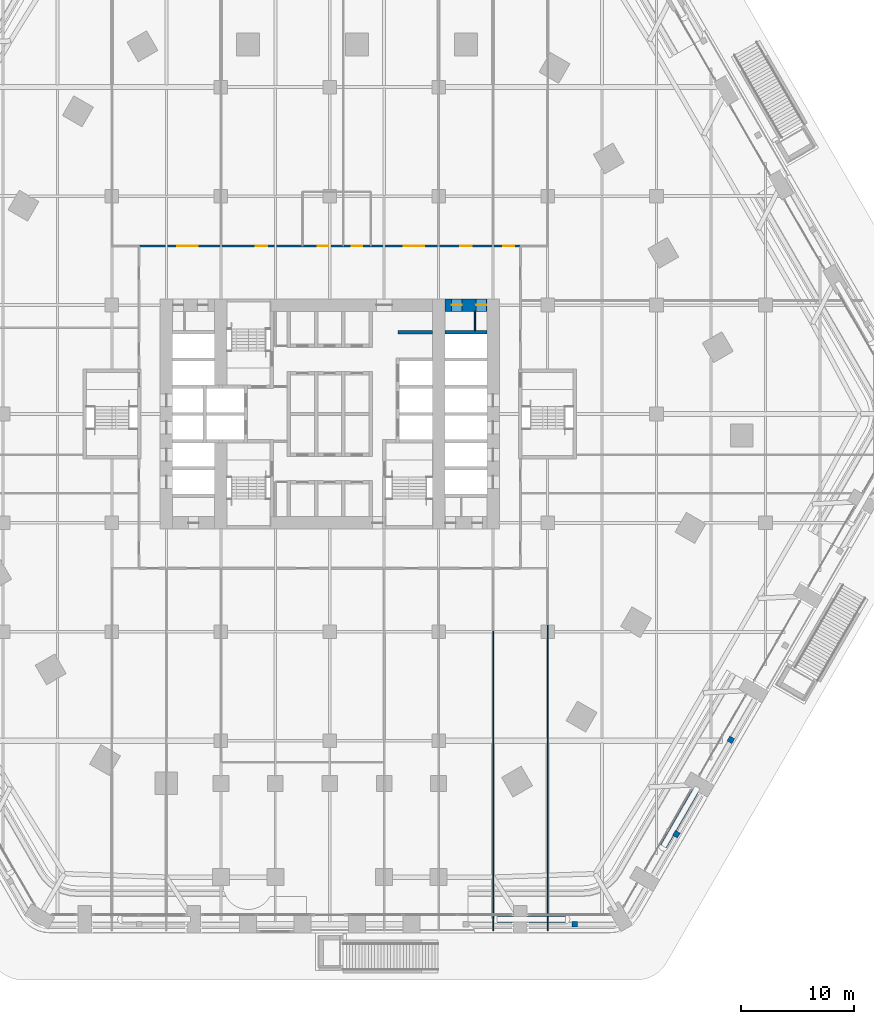
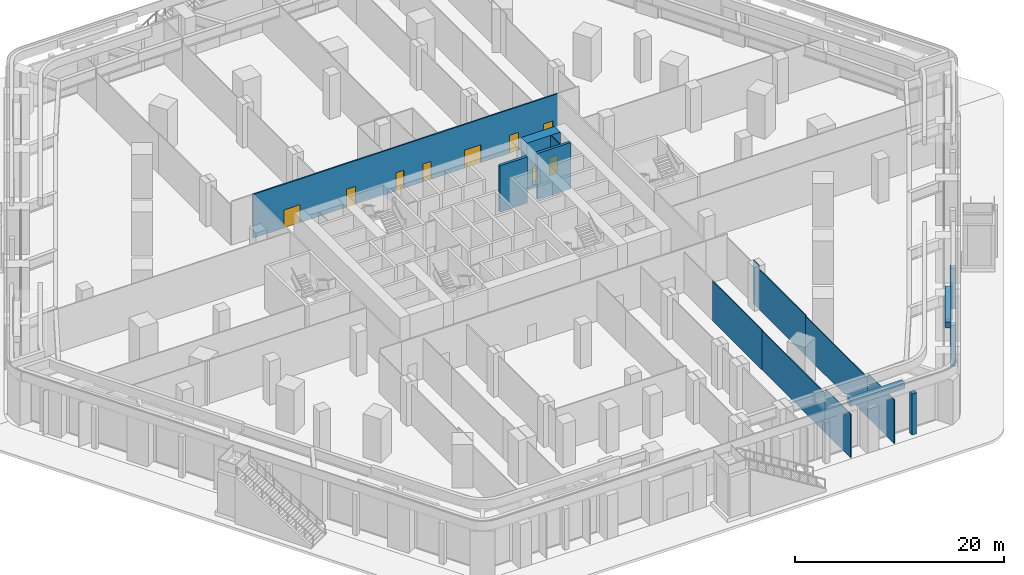
# One storey, part 21 of 34: 17 walls, 9 doors, 9 openings.
"""IFC4 building model written with IfcOpenShell, lengths in metres."""

from ifc_helpers import new_model, si_unit, direction, frame, frame_2d, origin, place, context, subcontext, project, spatial, rectangle, extrude, material, layer, layer_set, type_object, element, fill, save


model = new_model("IFC4")

# Units and contexts
model_context = context("Model", 3, precision=1e-05, world=origin(), true_north=direction((0.0, 1.0)))
body_context = subcontext(model_context, "Body", "Model", "MODEL_VIEW")
ifc_project = project(units=[si_unit("LENGTHUNIT", "METRE"), si_unit("AREAUNIT", "SQUARE_METRE"), si_unit("VOLUMEUNIT", "CUBIC_METRE"), si_unit("PLANEANGLEUNIT", "RADIAN"), si_unit("MASSUNIT", "GRAM", prefix="KILO")], contexts=[model_context])

# Site, building, storey
site_placement = place(None, origin())
site = spatial("IfcSite", under=ifc_project, at=site_placement, CompositionType="ELEMENT")
building_placement = place(site_placement, origin())
building = spatial("IfcBuilding", under=site, at=building_placement, Name="Kolab Exchange Tower", CompositionType="ELEMENT")
storey_placement = place(building_placement, frame((0.0, 0.0, 7.0)))
storey = spatial("IfcBuildingStorey", under=building, at=storey_placement, Name="L01", CompositionType="ELEMENT", Elevation=7.0)

# Wall, openings, doors
ifc_material_1 = material(Name="Concrete C80/95", Category="concrete")
ifc_layer_1 = layer(ifc_material_1, 1.10009765625)
ifc_layer_set_1 = layer_set([ifc_layer_1], Name="Concrete C80/95")
wall_type_1 = type_object("IfcWallType", Name="CORE WALL 1100 C80/95", PredefinedType="SHEAR", material=ifc_layer_set_1)
wall_1_placement = place(storey_placement, frame((10.14990234375, 9.60009765625, -0.300048828125), z_axis=(0.0, 0.0, 1.0), x_axis=(1.0, 0.0, 0.0)))
wall_1 = element("IfcWall", 1, at=wall_1_placement, inside=storey, type_object=wall_type_1, Name="wall/L01/core/053", PredefinedType="SHEAR", context=body_context, shape_type="SweptSolid", body=[
    extrude(rectangle(XDim=3.7001953125, YDim=1.10009765625, at=frame_2d((1.85009765625, 0.0))), origin(), (0.0, 0.0, 1.0), 5.400146484375),
])
opening_1_placement = place(wall_1_placement, frame((0.60009765625, 0.0, 0.300048828125)))
opening_1 = element("IfcOpeningElement", 2, at=opening_1_placement, cuts=wall_1, Name="Opening D6-041", PredefinedType="OPENING", context=body_context, shape_type="SweptSolid", body=[
    extrude(rectangle(XDim=0.89990234375, YDim=2.10009765625, at=frame_2d((0.449951171875, 1.050048828125))), frame((0.0, 0.56005859375, 0.0), z_axis=(0.0, -1.0, 0.0), x_axis=(1.0, 0.0, 0.0)), (0.0, 0.0, 1.0), 1.1201171875),
])
opening_2_placement = place(wall_1_placement, frame((2.75, 0.0, 0.300048828125)))
opening_2 = element("IfcOpeningElement", 3, at=opening_2_placement, cuts=wall_1, Name="Opening D6-042", PredefinedType="OPENING", context=body_context, shape_type="SweptSolid", body=[
    extrude(rectangle(XDim=0.89990234375, YDim=2.10009765625, at=frame_2d((0.449951171875, 1.050048828125))), frame((0.0, 0.56005859375, 0.0), z_axis=(0.0, -1.0, 0.0), x_axis=(1.0, 0.0, 0.0)), (0.0, 0.0, 1.0), 1.1201171875),
])
ifc_material_2 = material(Name="Steel S235", Category="steel")
door_type_1 = type_object("IfcDoorType", Name="CORE DOOR 900 EI 120", OperationType="SINGLE_SWING_LEFT", PredefinedType="DOOR", material=ifc_material_2)
door_1_placement = place(opening_1_placement, frame((0.89990234375, 0.0, 0.0), z_axis=(0.0, 0.0, 1.0), x_axis=(-1.0, 0.0, 0.0)))
door_1 = element("IfcDoor", 4, at=door_1_placement, inside=storey, type_object=door_type_1, Name="Service room door", OperationType="SINGLE_SWING_RIGHT", OverallHeight=2.10009765625, OverallWidth=0.89990234375, PredefinedType="DOOR", context=body_context, shape_type="SweptSolid", body=[
    extrude(rectangle(XDim=0.89990234375, YDim=2.10009765625, at=frame_2d((0.449951171875, 1.050048828125))), frame((0.0, 0.02490234375, 0.0), z_axis=(0.0, -1.0, 0.0), x_axis=(1.0, 0.0, 0.0)), (0.0, 0.0, 1.0), 0.050048828125),
])
fill(opening_1, door_1)
door_2_placement = place(opening_2_placement, frame((0.89990234375, 0.0, 0.0), z_axis=(0.0, 0.0, 1.0), x_axis=(-1.0, 0.0, 0.0)))
door_2 = element("IfcDoor", 5, at=door_2_placement, inside=storey, type_object=door_type_1, Name="Service room door", OperationType="SINGLE_SWING_LEFT", OverallHeight=2.10009765625, OverallWidth=0.89990234375, PredefinedType="DOOR", context=body_context, shape_type="SweptSolid", body=[
    extrude(rectangle(XDim=0.89990234375, YDim=2.10009765625, at=frame_2d((0.449951171875, 1.050048828125))), frame((0.0, 0.02490234375, 0.0), z_axis=(0.0, -1.0, 0.0), x_axis=(1.0, 0.0, 0.0)), (0.0, 0.0, 1.0), 0.050048828125),
])
fill(opening_2, door_2)

# Walls
ifc_material_3 = material(Name="Concrete C50/60", Category="concrete")
ifc_layer_2 = layer(ifc_material_3, 0.300048828125)
ifc_layer_set_2 = layer_set([ifc_layer_2], Name="Concrete C50/60")
wall_type_2 = type_object("IfcWallType", Name="LIFT SHAFT WALL 300 C50/60", PredefinedType="STANDARD", material=ifc_layer_set_2)
wall_2_placement = place(storey_placement, frame((6.0, 7.199951171875, -0.300048828125), z_axis=(0.0, 0.0, 1.0), x_axis=(1.0, 0.0, 0.0)))
element("IfcWall", 6, at=wall_2_placement, inside=storey, type_object=wall_type_2, Name="wall/L01/core/049", PredefinedType="STANDARD", context=body_context, shape_type="SweptSolid", body=[
    extrude(rectangle(XDim=3.050048828125, YDim=0.300048828125, at=frame_2d((1.52490234375, 0.0))), origin(), (0.0, 0.0, 1.0), 5.400146484375),
])
wall_3_placement = place(storey_placement, frame((10.14990234375, 7.199951171875, -0.300048828125), z_axis=(0.0, 0.0, 1.0), x_axis=(1.0, 0.0, 0.0)))
element("IfcWall", 7, at=wall_3_placement, inside=storey, type_object=wall_type_2, Name="wall/L01/core/050", PredefinedType="STANDARD", context=body_context, shape_type="SweptSolid", body=[
    extrude(rectangle(XDim=3.7001953125, YDim=0.300048828125, at=frame_2d((1.85009765625, 0.0))), origin(), (0.0, 0.0, 1.0), 5.400146484375),
])
ifc_material_4 = material(Name="Gypsum board", Category="gypsum")
ifc_layer_3 = layer(ifc_material_4, 0.10009765625)
ifc_layer_set_3 = layer_set([ifc_layer_3], Name="Gypsum board")
wall_type_3 = type_object("IfcWallType", Name="PARTITION 100", PredefinedType="PARTITIONING", material=ifc_layer_set_3)
wall_4_placement = place(storey_placement, frame((19.199951171875, -40.498291015625, 0.0), z_axis=(0.0, 0.0, 1.0), x_axis=(0.0, 1.0, 0.0)))
element("IfcWall", 8, at=wall_4_placement, inside=storey, type_object=wall_type_3, Name="Partition 000", PredefinedType="PARTITIONING", context=body_context, shape_type="SweptSolid", body=[
    extrude(rectangle(XDim=11.8583984375, YDim=0.10009765625, at=frame_2d((5.92919921875, 0.0))), origin(), (0.0, 0.0, 1.0), 4.56689453125),
])
wall_5_placement = place(storey_placement, frame((19.199951171875, -45.55615234375, 0.0), z_axis=(0.0, 0.0, 1.0), x_axis=(0.0, 1.0, 0.0)))
element("IfcWall", 9, at=wall_5_placement, inside=storey, type_object=wall_type_3, Name="Partition 000", PredefinedType="PARTITIONING", context=body_context, shape_type="SweptSolid", body=[
    extrude(rectangle(XDim=5.057861328125, YDim=0.10009765625, at=frame_2d((2.52880859375, 0.0))), origin(), (0.0, 0.0, 1.0), 5.10009765625),
])
wall_6_placement = place(storey_placement, frame((19.199951171875, -28.639892578125, 0.0), z_axis=(0.0, 0.0, 1.0), x_axis=(0.0, 1.0, 0.0)))
element("IfcWall", 10, at=wall_6_placement, inside=storey, type_object=wall_type_3, Name="Partition 000", PredefinedType="PARTITIONING", context=body_context, shape_type="SweptSolid", body=[
    extrude(rectangle(XDim=8.8798828125, YDim=0.10009765625, at=frame_2d((4.43994140625, 0.0))), origin(), (0.0, 0.0, 1.0), 4.693115234375),
])
wall_7_placement = place(storey_placement, frame((19.199951171875, -19.760009765625, 0.0), z_axis=(0.0, 0.0, 1.0), x_axis=(0.0, 1.0, 0.0)))
element("IfcWall", 11, at=wall_7_placement, inside=storey, type_object=wall_type_3, Name="Partition 000", PredefinedType="PARTITIONING", context=body_context, shape_type="SweptSolid", body=[
    extrude(rectangle(XDim=1.1201171875, YDim=0.10009765625, at=frame_2d((0.56005859375, 0.0))), origin(), (0.0, 0.0, 1.0), 5.10009765625),
])
wall_8_placement = place(storey_placement, frame((14.39990234375, -40.6591796875, 0.0), z_axis=(0.0, 0.0, 1.0), x_axis=(0.0, 1.0, 0.0)))
element("IfcWall", 12, at=wall_8_placement, inside=storey, type_object=wall_type_3, Name="Partition 004", PredefinedType="PARTITIONING", context=body_context, shape_type="SweptSolid", body=[
    extrude(rectangle(XDim=12.019287109375, YDim=0.10009765625, at=frame_2d((6.009765625, 0.0))), origin(), (0.0, 0.0, 1.0), 4.56689453125),
])
wall_9_placement = place(storey_placement, frame((14.39990234375, -45.55615234375, 0.0), z_axis=(0.0, 0.0, 1.0), x_axis=(0.0, 1.0, 0.0)))
element("IfcWall", 13, at=wall_9_placement, inside=storey, type_object=wall_type_3, Name="Partition 004", PredefinedType="PARTITIONING", context=body_context, shape_type="SweptSolid", body=[
    extrude(rectangle(XDim=4.89697265625, YDim=0.10009765625, at=frame_2d((2.448486328125, 0.0))), origin(), (0.0, 0.0, 1.0), 5.10009765625),
])
wall_10_placement = place(storey_placement, frame((14.39990234375, -28.639892578125, 0.0), z_axis=(0.0, 0.0, 1.0), x_axis=(0.0, 1.0, 0.0)))
element("IfcWall", 14, at=wall_10_placement, inside=storey, type_object=wall_type_3, Name="Partition 004", PredefinedType="PARTITIONING", context=body_context, shape_type="SweptSolid", body=[
    extrude(rectangle(XDim=9.513916015625, YDim=0.10009765625, at=frame_2d((4.7568359375, 0.0))), origin(), (0.0, 0.0, 1.0), 4.64306640625),
])
wall_11_placement = place(storey_placement, frame((12.800048828125, 7.35009765625, 0.0), z_axis=(0.0, 0.0, 1.0), x_axis=(0.0, 1.0, 0.0)))
element("IfcWall", 15, at=wall_11_placement, inside=storey, type_object=wall_type_3, Name="Partition 006", PredefinedType="PARTITIONING", context=body_context, shape_type="SweptSolid", body=[
    extrude(rectangle(XDim=1.699951171875, YDim=0.10009765625, at=frame_2d((0.85009765625, 0.0))), origin(), (0.0, 0.0, 1.0), 5.10009765625),
])

# Wall, openings, doors
ifc_layer_4 = layer(ifc_material_4, 0.14990234375)
ifc_layer_set_4 = layer_set([ifc_layer_4], Name="Gypsum board")
wall_type_4 = type_object("IfcWallType", Name="PARTITION 150 FIRE-RATED", PredefinedType="PARTITIONING", material=ifc_layer_set_4)
wall_12_placement = place(storey_placement, frame((-16.800048828125, 14.800048828125, 0.0), z_axis=(0.0, 0.0, 1.0), x_axis=(1.0, 0.0, 0.0)))
wall_12 = element("IfcWall", 16, at=wall_12_placement, inside=storey, type_object=wall_type_4, Name="Partition 038", PredefinedType="PARTITIONING", context=body_context, shape_type="SweptSolid", body=[
    extrude(rectangle(XDim=33.60009765625, YDim=0.14990234375, at=frame_2d((16.800048828125, 0.0))), origin(), (0.0, 0.0, 1.0), 5.10009765625),
])
opening_3_placement = place(wall_12_placement, frame((15.75, 0.0, 0.0)))
opening_3 = element("IfcOpeningElement", 17, at=opening_3_placement, cuts=wall_12, Name="Opening D3-003", PredefinedType="OPENING", context=body_context, shape_type="SweptSolid", body=[
    extrude(rectangle(XDim=0.89990234375, YDim=2.10009765625, at=frame_2d((0.449951171875, 1.050048828125))), frame((0.0, 0.0849609375, 0.0), z_axis=(0.0, -1.0, 0.0), x_axis=(1.0, 0.0, 0.0)), (0.0, 0.0, 1.0), 0.169921875),
])
opening_4_placement = place(wall_12_placement, frame((18.75, 0.0, 0.0)))
opening_4 = element("IfcOpeningElement", 18, at=opening_4_placement, cuts=wall_12, Name="Opening D3-004", PredefinedType="OPENING", context=body_context, shape_type="SweptSolid", body=[
    extrude(rectangle(XDim=0.89990234375, YDim=2.10009765625, at=frame_2d((0.449951171875, 1.050048828125))), frame((0.0, 0.0849609375, 0.0), z_axis=(0.0, -1.0, 0.0), x_axis=(1.0, 0.0, 0.0)), (0.0, 0.0, 1.0), 0.169921875),
])
opening_5_placement = place(wall_12_placement, frame((3.375, 0.0, 0.0)))
opening_5 = element("IfcOpeningElement", 19, at=opening_5_placement, cuts=wall_12, Name="Opening D2-005", PredefinedType="OPENING", context=body_context, shape_type="SweptSolid", body=[
    extrude(rectangle(XDim=1.800048828125, YDim=2.10009765625, at=frame_2d((0.89990234375, 1.050048828125))), frame((0.0, 0.0849609375, 0.0), z_axis=(0.0, -1.0, 0.0), x_axis=(1.0, 0.0, 0.0)), (0.0, 0.0, 1.0), 0.169921875),
])
opening_6_placement = place(wall_12_placement, frame((10.300048828125, 0.0, 0.0)))
opening_6 = element("IfcOpeningElement", 20, at=opening_6_placement, cuts=wall_12, Name="Opening D1-013", PredefinedType="OPENING", context=body_context, shape_type="SweptSolid", body=[
    extrude(rectangle(XDim=1.0, YDim=2.10009765625, at=frame_2d((0.5, 1.050048828125))), frame((0.0, 0.0849609375, 0.0), z_axis=(0.0, -1.0, 0.0), x_axis=(1.0, 0.0, 0.0)), (0.0, 0.0, 1.0), 0.169921875),
])
opening_7_placement = place(wall_12_placement, frame((23.324951171875, 0.0, 0.0)))
opening_7 = element("IfcOpeningElement", 21, at=opening_7_placement, cuts=wall_12, Name="Opening D2-006", PredefinedType="OPENING", context=body_context, shape_type="SweptSolid", body=[
    extrude(rectangle(XDim=1.800048828125, YDim=2.10009765625, at=frame_2d((0.89990234375, 1.050048828125))), frame((0.0, 0.0849609375, 0.0), z_axis=(0.0, -1.0, 0.0), x_axis=(1.0, 0.0, 0.0)), (0.0, 0.0, 1.0), 0.169921875),
])
opening_8_placement = place(wall_12_placement, frame((28.300048828125, 0.0, 0.0)))
opening_8 = element("IfcOpeningElement", 22, at=opening_8_placement, cuts=wall_12, Name="Opening D1-014", PredefinedType="OPENING", context=body_context, shape_type="SweptSolid", body=[
    extrude(rectangle(XDim=1.0, YDim=2.10009765625, at=frame_2d((0.5, 1.050048828125))), frame((0.0, 0.0849609375, 0.0), z_axis=(0.0, -1.0, 0.0), x_axis=(1.0, 0.0, 0.0)), (0.0, 0.0, 1.0), 0.169921875),
])
opening_9_placement = place(wall_12_placement, frame((32.074951171875, 0.0, 0.0)))
opening_9 = element("IfcOpeningElement", 23, at=opening_9_placement, cuts=wall_12, Name="Opening D1-015", PredefinedType="OPENING", context=body_context, shape_type="SweptSolid", body=[
    extrude(rectangle(XDim=1.0, YDim=2.10009765625, at=frame_2d((0.5, 1.050048828125))), frame((0.0, 0.0849609375, 0.0), z_axis=(0.0, -1.0, 0.0), x_axis=(1.0, 0.0, 0.0)), (0.0, 0.0, 1.0), 0.169921875),
])
door_type_2 = type_object("IfcDoorType", Name="DOUBLE DOOR 1800 FD60", OperationType="DOUBLE_DOOR_SINGLE_SWING", PredefinedType="DOOR", material=ifc_material_2)
door_3_placement = place(opening_5_placement, origin())
door_3 = element("IfcDoor", 24, at=door_3_placement, inside=storey, type_object=door_type_2, Name="Door L01-050", OperationType="SINGLE_SWING_RIGHT", OverallHeight=2.10009765625, OverallWidth=1.800048828125, PredefinedType="DOOR", context=body_context, shape_type="SweptSolid", body=[
    extrude(rectangle(XDim=1.800048828125, YDim=2.10009765625, at=frame_2d((0.89990234375, 1.050048828125))), frame((0.0, 0.02490234375, 0.0), z_axis=(0.0, -1.0, 0.0), x_axis=(1.0, 0.0, 0.0)), (0.0, 0.0, 1.0), 0.050048828125),
])
fill(opening_5, door_3)
door_4_placement = place(opening_7_placement, origin())
door_4 = element("IfcDoor", 25, at=door_4_placement, inside=storey, type_object=door_type_2, Name="Door L01-052", OperationType="SINGLE_SWING_RIGHT", OverallHeight=2.10009765625, OverallWidth=1.800048828125, PredefinedType="DOOR", context=body_context, shape_type="SweptSolid", body=[
    extrude(rectangle(XDim=1.800048828125, YDim=2.10009765625, at=frame_2d((0.89990234375, 1.050048828125))), frame((0.0, 0.02490234375, 0.0), z_axis=(0.0, -1.0, 0.0), x_axis=(1.0, 0.0, 0.0)), (0.0, 0.0, 1.0), 0.050048828125),
])
fill(opening_7, door_4)
door_type_3 = type_object("IfcDoorType", Name="FLUSH DOOR 1000 FD60", OperationType="SINGLE_SWING_LEFT", PredefinedType="DOOR", material=ifc_material_2)
door_5_placement = place(opening_6_placement, origin())
door_5 = element("IfcDoor", 26, at=door_5_placement, inside=storey, type_object=door_type_3, Name="Door L01-051", OperationType="SINGLE_SWING_LEFT", OverallHeight=2.10009765625, OverallWidth=1.0, PredefinedType="DOOR", context=body_context, shape_type="SweptSolid", body=[
    extrude(rectangle(XDim=1.0, YDim=2.10009765625, at=frame_2d((0.5, 1.050048828125))), frame((0.0, 0.02490234375, 0.0), z_axis=(0.0, -1.0, 0.0), x_axis=(1.0, 0.0, 0.0)), (0.0, 0.0, 1.0), 0.050048828125),
])
fill(opening_6, door_5)
door_6_placement = place(opening_8_placement, origin())
door_6 = element("IfcDoor", 27, at=door_6_placement, inside=storey, type_object=door_type_3, Name="Door L01-053", OperationType="SINGLE_SWING_LEFT", OverallHeight=2.10009765625, OverallWidth=1.0, PredefinedType="DOOR", context=body_context, shape_type="SweptSolid", body=[
    extrude(rectangle(XDim=1.0, YDim=2.10009765625, at=frame_2d((0.5, 1.050048828125))), frame((0.0, 0.02490234375, 0.0), z_axis=(0.0, -1.0, 0.0), x_axis=(1.0, 0.0, 0.0)), (0.0, 0.0, 1.0), 0.050048828125),
])
fill(opening_8, door_6)
door_7_placement = place(opening_9_placement, origin())
door_7 = element("IfcDoor", 28, at=door_7_placement, inside=storey, type_object=door_type_3, Name="Door L01-054", OperationType="SINGLE_SWING_LEFT", OverallHeight=2.10009765625, OverallWidth=1.0, PredefinedType="DOOR", context=body_context, shape_type="SweptSolid", body=[
    extrude(rectangle(XDim=1.0, YDim=2.10009765625, at=frame_2d((0.5, 1.050048828125))), frame((0.0, 0.02490234375, 0.0), z_axis=(0.0, -1.0, 0.0), x_axis=(1.0, 0.0, 0.0)), (0.0, 0.0, 1.0), 0.050048828125),
])
fill(opening_9, door_7)
door_type_4 = type_object("IfcDoorType", Name="FLUSH DOOR 900 FD60", OperationType="SINGLE_SWING_LEFT", PredefinedType="DOOR", material=ifc_material_2)
door_8_placement = place(opening_3_placement, origin())
door_8 = element("IfcDoor", 29, at=door_8_placement, inside=storey, type_object=door_type_4, Name="Door L01-048", OperationType="SINGLE_SWING_LEFT", OverallHeight=2.10009765625, OverallWidth=0.89990234375, PredefinedType="DOOR", context=body_context, shape_type="SweptSolid", body=[
    extrude(rectangle(XDim=0.89990234375, YDim=2.10009765625, at=frame_2d((0.449951171875, 1.050048828125))), frame((0.0, 0.02490234375, 0.0), z_axis=(0.0, -1.0, 0.0), x_axis=(1.0, 0.0, 0.0)), (0.0, 0.0, 1.0), 0.050048828125),
])
fill(opening_3, door_8)
door_9_placement = place(opening_4_placement, origin())
door_9 = element("IfcDoor", 30, at=door_9_placement, inside=storey, type_object=door_type_4, Name="Door L01-049", OperationType="SINGLE_SWING_LEFT", OverallHeight=2.10009765625, OverallWidth=0.89990234375, PredefinedType="DOOR", context=body_context, shape_type="SweptSolid", body=[
    extrude(rectangle(XDim=0.89990234375, YDim=2.10009765625, at=frame_2d((0.449951171875, 1.050048828125))), frame((0.0, 0.02490234375, 0.0), z_axis=(0.0, -1.0, 0.0), x_axis=(1.0, 0.0, 0.0)), (0.0, 0.0, 1.0), 0.050048828125),
])
fill(opening_4, door_9)

# Walls
ifc_material_5 = material(Name="Granite facing", Category="masonry")
ifc_layer_5 = layer(ifc_material_5, 0.0400390625)
ifc_material_6 = material(Name="Concrete C40/50 precast", Category="concrete")
ifc_layer_6 = layer(ifc_material_6, 0.56005859375)
ifc_layer_set_5 = layer_set([ifc_layer_5, ifc_layer_6], Name="Concrete C40/50 precast")
wall_type_5 = type_object("IfcWallType", Name="PLANTER BOX 600 X 700 SOIL DEPTH 550", PredefinedType="USERDEFINED", material=ifc_layer_set_5)
for number, where, z_axis, x_axis, name in (
    (31, (32.413818359375, -32.91015625, 5.39990234375), (0.0, 0.0, 1.0), (-0.500007758305, -0.866020924479, 0.0), "Planter"),
    (32, (20.760986328125, -44.526123046875, 5.39990234375), (0.0, 0.0, 1.0), (-1.0, 0.0, 0.0), "Planter"),
):
    element("IfcWall", number, at=place(storey_placement, frame(where, z_axis=z_axis, x_axis=x_axis)), inside=storey, type_object=wall_type_5, Name=name, ObjectType="PLANTER", PredefinedType="USERDEFINED", context=body_context, shape_type="SweptSolid", body=[
        extrude(rectangle(XDim=6.0, YDim=0.60009765625, at=frame_2d((3.0, 0.0))), origin(), (0.0, 0.0, 1.0), 0.7001953125),
    ])
ifc_layer_7 = layer(ifc_material_5, 0.5)
ifc_layer_set_6 = layer_set([ifc_layer_7], Name="Granite facing")
wall_type_6 = type_object("IfcWallType", Name="STONE FACADE FIN 500 X 500", PredefinedType="SOLIDWALL", material=ifc_layer_set_6)
for number, where, z_axis, x_axis, name in (
    (33, (35.47509765625, -28.506591796875, 0.0), (0.0, 0.0, 1.0), (-0.500131122175, -0.865949687125, 0.0), "Stone facade fin"),
    (34, (30.675048828125, -36.820556640625, 0.0), (0.0, 0.0, 1.0), (-0.500131122175, -0.865949687125, 0.0), "Stone facade fin"),
):
    element("IfcWall", number, at=place(storey_placement, frame(where, z_axis=z_axis, x_axis=x_axis)), inside=storey, type_object=wall_type_6, Name=name, PredefinedType="SOLIDWALL", context=body_context, shape_type="SweptSolid", body=[
        extrude(rectangle(XDim=0.499755859375, YDim=0.5, at=frame_2d((0.25, 0.0))), origin(), (0.0, 0.0, 1.0), 4.800048828125),
    ])
wall_13_placement = place(storey_placement, frame((21.85009765625, -44.97607421875, 0.0), z_axis=(0.0, 0.0, 1.0), x_axis=(-1.0, 0.0, 0.0)))
element("IfcWall", 35, at=wall_13_placement, inside=storey, type_object=wall_type_6, Name="Stone facade fin", PredefinedType="SOLIDWALL", context=body_context, shape_type="SweptSolid", body=[
    extrude(rectangle(XDim=0.5, YDim=0.5, at=frame_2d((0.25, 0.0))), origin(), (0.0, 0.0, 1.0), 4.800048828125),
])

save(model, "model.ifc")
